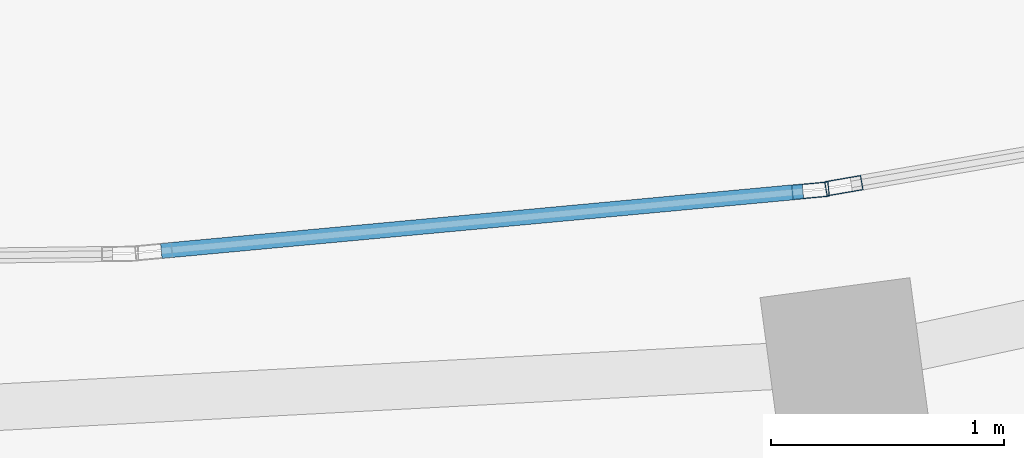
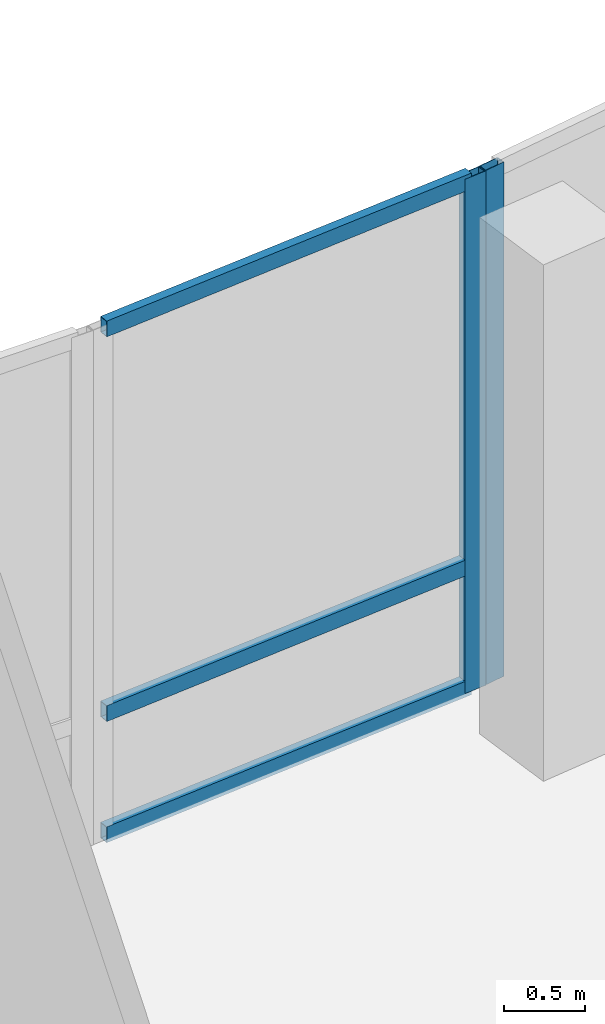
# One storey, part 39 of 184: 5 members, 2 elements without a shape of their own.
"""IFC4 building model written with IfcOpenShell, lengths in metres."""

from ifc_helpers import new_model, si_unit, direction, frame, origin, origin_2d, place, context, subcontext, project, spatial, hollow_rectangle, extrude, material, material_profile, profile_set, type_object, element, aggregate, save


model = new_model("IFC4")

# Units and contexts
model_context = context("Model", 3, precision=1e-05, world=origin(), true_north=direction((0.0, 1.0)))
body_context = subcontext(model_context, "Body", "Model", "MODEL_VIEW")
ifc_project = project(units=[si_unit("LENGTHUNIT", "METRE"), si_unit("AREAUNIT", "SQUARE_METRE"), si_unit("VOLUMEUNIT", "CUBIC_METRE"), si_unit("PLANEANGLEUNIT", "RADIAN"), si_unit("MASSUNIT", "GRAM", prefix="KILO")], contexts=[model_context])

# Site, building, storey
site_placement = place(None, origin())
site = spatial("IfcSite", under=ifc_project, at=site_placement, CompositionType="ELEMENT")
building_placement = place(site_placement, origin())
building = spatial("IfcBuilding", under=site, at=building_placement, Name="Selatvlak General Hospital", CompositionType="ELEMENT")
storey_placement = place(building_placement, frame((0.0, 0.0, 15.0)))
storey = spatial("IfcBuildingStorey", under=building, at=storey_placement, Name="L03", CompositionType="ELEMENT", Elevation=15.0)

# Curtain wall, member
ifc_material_1 = material(Name="Solar-control Low-E double glazing", Category="glass")
curtain_wall_type_1 = type_object("IfcCurtainWallType", Name="CW-CW-01", PredefinedType="USERDEFINED", material=ifc_material_1)
curtain_wall_1_placement = place(storey_placement, origin())
curtain_wall_1 = element("IfcCurtainWall", 1, at=curtain_wall_1_placement, inside=storey, type_object=curtain_wall_type_1, Name="Glazed facade curtain wall CW-L03-0451", ObjectType="UNITISED CURTAIN WALL", PredefinedType="USERDEFINED")
ifc_material_2 = material(Name="Dark anodised aluminium mullion", Category="aluminium")
ifc_material_profile_1 = material_profile(ifc_material_2, hollow_rectangle(XDim=0.06494140625, YDim=0.159912109375, WallThickness=0.00390625, at=origin_2d()), Name="AL-MUL 65x160x4")
ifc_profile_set_1 = profile_set([ifc_material_profile_1], Name="Dark anodised aluminium mullion")
member_type_1 = type_object("IfcMemberType", Name="CWM-01", PredefinedType="MULLION", material=ifc_profile_set_1)
member_1_placement = place(storey_placement, frame((60.88671875, 42.322021484375, 0.0), z_axis=(0.0, 0.0, 1.0), x_axis=(-0.092369074668, 0.99572483852, 0.0)))
member_1 = element("IfcMember", 2, at=member_1_placement, type_object=member_type_1, Name="CW-01 mullion 2", PredefinedType="MULLION", context=body_context, shape_type="SweptSolid", body=[
    extrude(hollow_rectangle(XDim=0.06494140625, YDim=0.159912109375, WallThickness=0.00390625, at=origin_2d()), origin(), (0.0, 0.0, 1.0), 3.89501953125),
])

curtain_wall_type_2 = type_object("IfcCurtainWallType", Name="CW-CW-02", PredefinedType="USERDEFINED", material=ifc_material_1)
curtain_wall_2_placement = place(storey_placement, origin())
curtain_wall_2 = element("IfcCurtainWall", 3, at=curtain_wall_2_placement, inside=storey, type_object=curtain_wall_type_2, Name="Glazed facade curtain wall CW-L03-0452", ObjectType="UNITISED CURTAIN WALL", PredefinedType="USERDEFINED")
member_2_placement = place(storey_placement, frame((61.030029296875, 42.343505859375, 0.0), z_axis=(0.0, 0.0, 1.0), x_axis=(-0.170657302344, 0.985330444651, 0.0)))
member_2 = element("IfcMember", 4, at=member_2_placement, type_object=member_type_1, Name="CW-02 mullion 1", PredefinedType="MULLION", context=body_context, shape_type="SweptSolid", body=[
    extrude(hollow_rectangle(XDim=0.06494140625, YDim=0.159912109375, WallThickness=0.00390625, at=origin_2d()), origin(), (0.0, 0.0, 1.0), 3.89501953125),
])
aggregate(curtain_wall_2, [member_2])

# Member
ifc_material_profile_2 = material_profile(ifc_material_2, hollow_rectangle(XDim=0.06494140625, YDim=0.1201171875, WallThickness=0.00390625, at=origin_2d()), Name="AL-TRN 65x120x4")
ifc_profile_set_2 = profile_set([ifc_material_profile_2], Name="Dark anodised aluminium mullion")
member_type_2 = type_object("IfcMemberType", Name="CWT-01", PredefinedType="USERDEFINED", material=ifc_profile_set_2)
member_3_placement = place(storey_placement, frame((58.0947265625, 42.06298828125, 0.032470703125), z_axis=(0.995721031907, 0.092410100192, 0.0), x_axis=(-0.092410100192, 0.995721031907, 0.0)))
member_3 = element("IfcMember", 5, at=member_3_placement, type_object=member_type_2, Name="CW-01 transom 1.1", ObjectType="TRANSOM", PredefinedType="USERDEFINED", context=body_context, shape_type="SweptSolid", body=[
    extrude(hollow_rectangle(XDim=0.06494140625, YDim=0.1201171875, WallThickness=0.00390625, at=origin_2d()), origin(), (0.0, 0.0, 1.0), 2.771484375),
])

member_4_placement = place(storey_placement, frame((58.0947265625, 42.06298828125, 0.949951171875), z_axis=(0.995721031907, 0.092410100192, 0.0), x_axis=(-0.092410100192, 0.995721031907, 0.0)))
member_4 = element("IfcMember", 6, at=member_4_placement, type_object=member_type_2, Name="CW-01 transom 1.2", ObjectType="TRANSOM", PredefinedType="USERDEFINED", context=body_context, shape_type="SweptSolid", body=[
    extrude(hollow_rectangle(XDim=0.06494140625, YDim=0.1201171875, WallThickness=0.00390625, at=origin_2d()), origin(), (0.0, 0.0, 1.0), 2.771484375),
])

member_5_placement = place(storey_placement, frame((58.0947265625, 42.06298828125, 3.862548828125), z_axis=(0.995721031907, 0.092410100192, 0.0), x_axis=(-0.092410100192, 0.995721031907, 0.0)))
member_5 = element("IfcMember", 7, at=member_5_placement, type_object=member_type_2, Name="CW-01 transom 1.3", ObjectType="TRANSOM", PredefinedType="USERDEFINED", context=body_context, shape_type="SweptSolid", body=[
    extrude(hollow_rectangle(XDim=0.06494140625, YDim=0.1201171875, WallThickness=0.00390625, at=origin_2d()), origin(), (0.0, 0.0, 1.0), 2.771484375),
])

aggregate(curtain_wall_1, [member_1, member_3, member_4, member_5])

save(model, "model.ifc")
